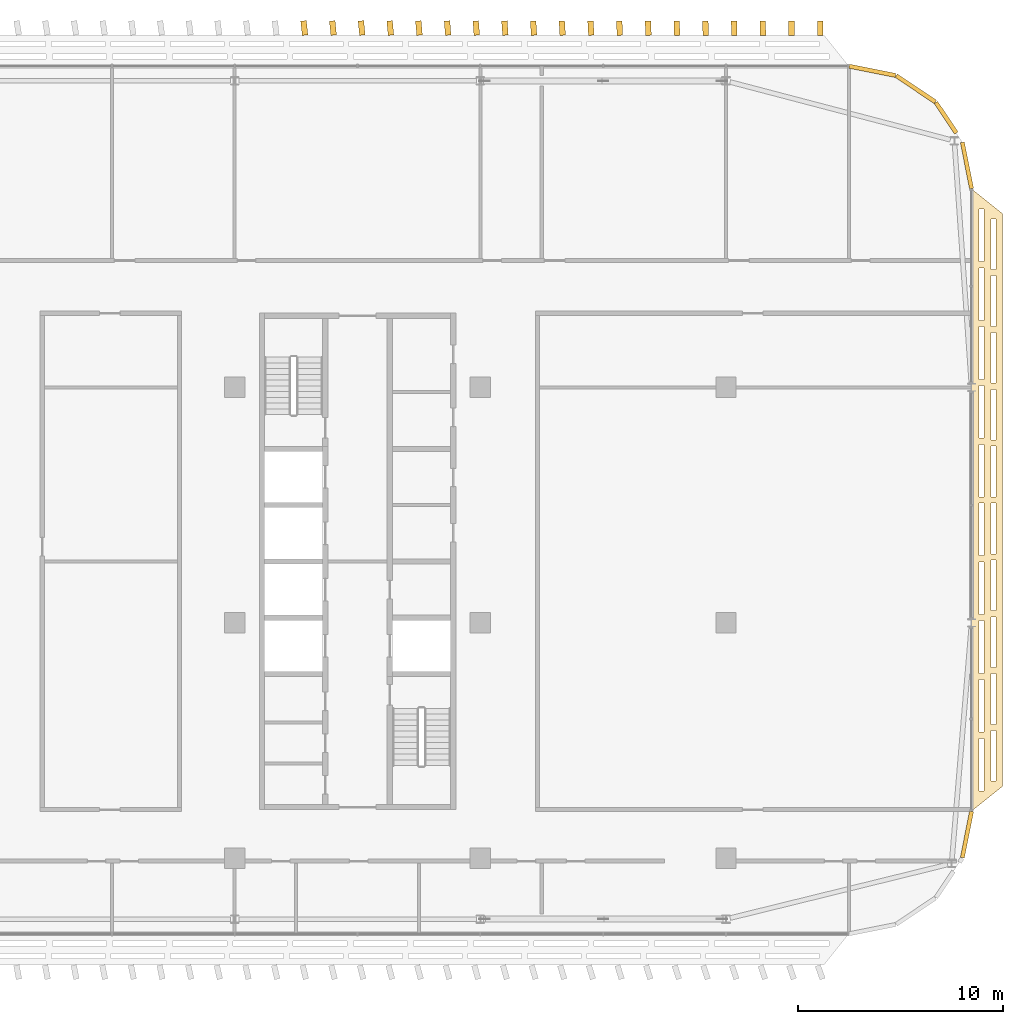
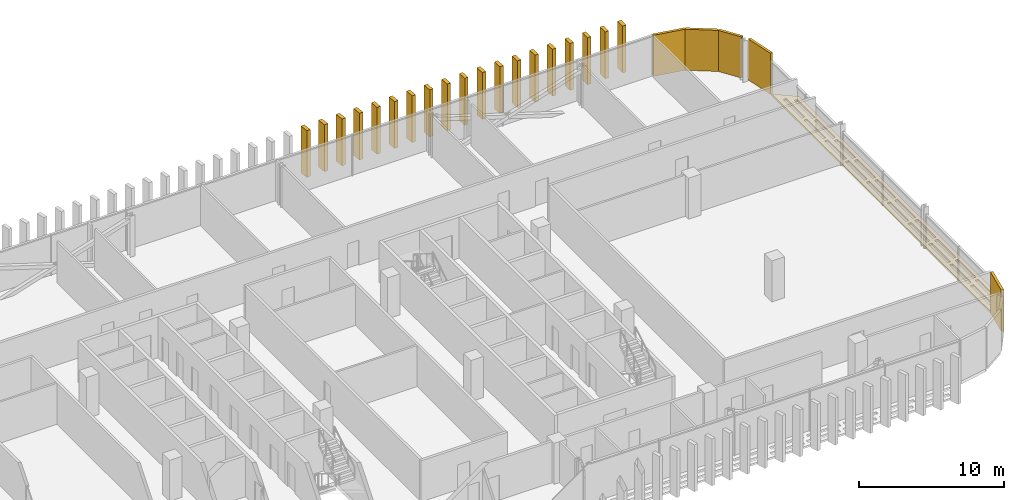
# One storey, part 34 of 34: 25 coverings.
"""IFC4 building model written with IfcOpenShell, lengths in metres."""

from ifc_helpers import new_model, si_unit, direction, frame, origin, origin_2d, place, context, subcontext, project, spatial, polyline, rectangle, outline, extrude, material, layer, layer_set, type_object, element, save


model = new_model("IFC4")

# Units and contexts
model_context = context("Model", 3, precision=1e-05, world=origin(), true_north=direction((0.0, 1.0)))
body_context = subcontext(model_context, "Body", "Model", "MODEL_VIEW")
ifc_project = project(units=[si_unit("LENGTHUNIT", "METRE"), si_unit("AREAUNIT", "SQUARE_METRE"), si_unit("VOLUMEUNIT", "CUBIC_METRE"), si_unit("PLANEANGLEUNIT", "RADIAN"), si_unit("MASSUNIT", "GRAM", prefix="KILO")], contexts=[model_context])

# Site, building, storey
site_placement = place(None, origin())
site = spatial("IfcSite", under=ifc_project, at=site_placement, CompositionType="ELEMENT")
building_placement = place(site_placement, origin())
building = spatial("IfcBuilding", under=site, at=building_placement, Name="Mahtab Terrace Research Tower", CompositionType="ELEMENT")
storey_placement = place(building_placement, frame((0.0, 0.0, 247.60009765625)))
storey = spatial("IfcBuildingStorey", under=building, at=storey_placement, Name="L60", CompositionType="ELEMENT", Elevation=247.60009765625)

# Coverings
ifc_material_1 = material(Name="Black aluminium cladding panel", Category="aluminium")
ifc_layer_1 = layer(ifc_material_1, 0.199951171875)
ifc_layer_set_1 = layer_set([ifc_layer_1], Name="Black metal corner cladding 200")
covering_type_1 = type_object("IfcCoveringType", Name="Black metal corner cladding 200", PredefinedType="CLADDING", material=ifc_layer_set_1)
covering_1_placement = place(storey_placement, frame((52.75146484375, 24.67626953125, 0.0), z_axis=(0.0, 0.0, 1.0), x_axis=(-0.555291490808, 0.831655794326, 0.0)))
element("IfcCovering", 1, at=covering_1_placement, inside=storey, type_object=covering_type_1, Name="Corner cladding L60 0", PredefinedType="CLADDING", context=body_context, shape_type="SweptSolid", body=[
    extrude(rectangle(XDim=1.791748046875, YDim=0.199951171875, at=origin_2d()), origin(), (0.0, 0.0, 1.0), 3.4599609375),
])
for number, where, z_axis, x_axis, name in (
    (2, (51.26953125, 26.087890625, 0.0), (0.0, 0.0, 1.0), (-0.831655794326, 0.555291490808, 0.0), "Corner cladding L60 1"),
    (3, (49.14794921875, 26.966552734375, 0.0), (0.0, 0.0, 1.0), (-0.980760981187, 0.195212442692, 0.0), "Corner cladding L60 2"),
    (4, (53.771484375, -10.343017578125, 0.0), (0.0, 0.0, 1.0), (0.195212442692, 0.980760981187, 0.0), "Corner cladding L60 20"),
    (5, (53.771484375, 22.343017578125, 0.0), (0.0, 0.0, 1.0), (-0.195212442692, 0.980760981187, 0.0), "Corner cladding L60 24"),
):
    element("IfcCovering", number, at=place(storey_placement, frame(where, z_axis=z_axis, x_axis=x_axis)), inside=storey, type_object=covering_type_1, Name=name, PredefinedType="CLADDING", context=body_context, shape_type="SweptSolid", body=[
        extrude(rectangle(XDim=2.30126953125, YDim=0.199951171875, at=origin_2d()), origin(), (0.0, 0.0, 1.0), 3.4599609375),
    ])
ifc_material_2 = material(Name="Black anodised aluminium", Category="aluminium")
ifc_layer_2 = layer(ifc_material_2, 0.14990234375)
ifc_layer_set_2 = layer_set([ifc_layer_2], Name="Horizontal sunshade band")
covering_type_2 = type_object("IfcCoveringType", Name="Horizontal sunshade band", PredefinedType="CLADDING", material=ifc_layer_set_2)
covering_2_placement = place(storey_placement, frame((0.0, 0.0, -0.150146484375)))
element("IfcCovering", 6, at=covering_2_placement, inside=storey, type_object=covering_type_2, Name="Sunshade band L60 21", PredefinedType="CLADDING", context=body_context, shape_type="SweptSolid", body=[
    extrude(outline(polyline([(54.0, -9.195068359375), (54.0, 21.195068359375), (55.5, 19.9951171875), (55.5, -7.9951171875), (54.0, -9.195068359375)]), holes=[polyline([(54.35009765625, -8.215087890625), (54.35009765625, -5.64208984375), (54.60009765625, -5.64208984375), (54.60009765625, -8.215087890625), (54.35009765625, -8.215087890625)]), polyline([(54.35009765625, -5.342041015625), (54.35009765625, -2.76904296875), (54.60009765625, -2.76904296875), (54.60009765625, -5.342041015625), (54.35009765625, -5.342041015625)]), polyline([(54.35009765625, -2.468994140625), (54.35009765625, 0.10400390625), (54.60009765625, 0.10400390625), (54.60009765625, -2.468994140625), (54.35009765625, -2.468994140625)]), polyline([(54.35009765625, 0.404052734375), (54.35009765625, 2.97705078125), (54.60009765625, 2.97705078125), (54.60009765625, 0.404052734375), (54.35009765625, 0.404052734375)]), polyline([(54.35009765625, 3.277099609375), (54.35009765625, 5.85009765625), (54.60009765625, 5.85009765625), (54.60009765625, 3.277099609375), (54.35009765625, 3.277099609375)]), polyline([(54.35009765625, 6.14990234375), (54.35009765625, 8.722900390625), (54.60009765625, 8.722900390625), (54.60009765625, 6.14990234375), (54.35009765625, 6.14990234375)]), polyline([(54.35009765625, 9.02294921875), (54.35009765625, 11.595947265625), (54.60009765625, 11.595947265625), (54.60009765625, 9.02294921875), (54.35009765625, 9.02294921875)]), polyline([(54.35009765625, 11.89599609375), (54.35009765625, 14.468994140625), (54.60009765625, 14.468994140625), (54.60009765625, 11.89599609375), (54.35009765625, 11.89599609375)]), polyline([(54.35009765625, 14.76904296875), (54.35009765625, 17.342041015625), (54.60009765625, 17.342041015625), (54.60009765625, 14.76904296875), (54.35009765625, 14.76904296875)]), polyline([(54.35009765625, 17.64208984375), (54.35009765625, 20.215087890625), (54.60009765625, 20.215087890625), (54.60009765625, 17.64208984375), (54.35009765625, 17.64208984375)]), polyline([(54.949951171875, -7.735107421875), (54.949951171875, -5.258056640625), (55.199951171875, -5.258056640625), (55.199951171875, -7.735107421875), (54.949951171875, -7.735107421875)]), polyline([(54.949951171875, -4.9580078125), (54.949951171875, -2.48095703125), (55.199951171875, -2.48095703125), (55.199951171875, -4.9580078125), (54.949951171875, -4.9580078125)]), polyline([(54.949951171875, -2.180908203125), (54.949951171875, 0.2958984375), (55.199951171875, 0.2958984375), (55.199951171875, -2.180908203125), (54.949951171875, -2.180908203125)]), polyline([(54.949951171875, 0.595947265625), (54.949951171875, 3.072998046875), (55.199951171875, 3.072998046875), (55.199951171875, 0.595947265625), (54.949951171875, 0.595947265625)]), polyline([(54.949951171875, 3.373046875), (54.949951171875, 5.85009765625), (55.199951171875, 5.85009765625), (55.199951171875, 3.373046875), (54.949951171875, 3.373046875)]), polyline([(54.949951171875, 6.14990234375), (54.949951171875, 8.626953125), (55.199951171875, 8.626953125), (55.199951171875, 6.14990234375), (54.949951171875, 6.14990234375)]), polyline([(54.949951171875, 8.927001953125), (54.949951171875, 11.404052734375), (55.199951171875, 11.404052734375), (55.199951171875, 8.927001953125), (54.949951171875, 8.927001953125)]), polyline([(54.949951171875, 11.7041015625), (54.949951171875, 14.180908203125), (55.199951171875, 14.180908203125), (55.199951171875, 11.7041015625), (54.949951171875, 11.7041015625)]), polyline([(54.949951171875, 14.48095703125), (54.949951171875, 16.9580078125), (55.199951171875, 16.9580078125), (55.199951171875, 14.48095703125), (54.949951171875, 14.48095703125)]), polyline([(54.949951171875, 17.258056640625), (54.949951171875, 19.735107421875), (55.199951171875, 19.735107421875), (55.199951171875, 17.258056640625), (54.949951171875, 17.258056640625)])]), origin(), (0.0, 0.0, 1.0), 0.150146484375),
])
ifc_material_3 = material(Name="Bronze anodised aluminium", Category="aluminium")
ifc_layer_3 = layer(ifc_material_3, 0.1201171875)
ifc_layer_set_3 = layer_set([ifc_layer_3], Name="Vertical fin 700")
covering_type_3 = type_object("IfcCoveringType", Name="Vertical fin 700", PredefinedType="CLADDING", material=ifc_layer_set_3)
for number, where, z_axis, x_axis, name in (
    (7, (46.60009765625, 29.0458984375, -0.14990234375), (0.0, 0.0, 1.0), (-0.999983076858, -0.005817731349, 0.0), "Fin L60 N1"),
    (8, (45.199951171875, 29.046630859375, -0.14990234375), (0.0, 0.0, 1.0), (-0.999932308004, -0.011635265807, 0.0), "Fin L60 N2"),
    (9, (43.800048828125, 29.04736328125, -0.14990234375), (0.0, 0.0, 1.0), (-0.999847695156, -0.017452406437, 0.0), "Fin L60 N3"),
    (10, (42.39990234375, 29.048095703125, -0.14990234375), (0.0, 0.0, 1.0), (-0.99972924118, -0.023268956368, 0.0), "Fin L60 N4"),
    (11, (41.0, 29.048828125, -0.14990234375), (0.0, 0.0, 1.0), (-0.999576950082, -0.029084718749, 0.0), "Fin L60 N5"),
    (12, (39.60009765625, 29.049560546875, -0.14990234375), (0.0, 0.0, 1.0), (-0.999390827019, -0.034899496703, 0.0), "Fin L60 N6"),
    (13, (38.199951171875, 29.05029296875, -0.14990234375), (0.0, 0.0, 1.0), (-0.99917087829, -0.040713093438, 0.0), "Fin L60 N7"),
    (14, (36.800048828125, 29.051025390625, -0.14990234375), (0.0, 0.0, 1.0), (-0.998917111338, -0.046525312204, 0.0), "Fin L60 N8"),
    (15, (35.39990234375, 29.0517578125, -0.14990234375), (0.0, 0.0, 1.0), (-0.998629534755, -0.052335956243, 0.0), "Fin L60 N9"),
    (16, (34.0, 29.052490234375, -0.14990234375), (0.0, 0.0, 1.0), (-0.998308158272, -0.058144828905, 0.0), "Fin L60 N10"),
    (17, (32.60009765625, 29.05322265625, -0.14990234375), (0.0, 0.0, 1.0), (-0.997952992766, -0.063951733597, 0.0), "Fin L60 N11"),
    (18, (31.199951171875, 29.053955078125, -0.14990234375), (0.0, 0.0, 1.0), (-0.99756405026, -0.069756473744, 0.0), "Fin L60 N12"),
    (19, (29.800048828125, 29.0546875, -0.14990234375), (0.0, 0.0, 1.0), (-0.997141343917, -0.075558852893, 0.0), "Fin L60 N13"),
    (20, (28.39990234375, 29.05517578125, -0.14990234375), (0.0, 0.0, 1.0), (-0.996684888044, -0.081358674674, 0.0), "Fin L60 N14"),
    (21, (27.0, 29.055908203125, -0.14990234375), (0.0, 0.0, 1.0), (-0.996194698092, -0.087155742748, 0.0), "Fin L60 N15"),
    (22, (25.60009765625, 29.056396484375, -0.14990234375), (0.0, 0.0, 1.0), (-0.99567079065, -0.092949860924, 0.0), "Fin L60 N16"),
    (23, (24.199951171875, 29.05712890625, -0.14990234375), (0.0, 0.0, 1.0), (-0.99511318345, -0.098740833109, 0.0), "Fin L60 N17"),
    (24, (22.800048828125, 29.0576171875, -0.14990234375), (0.0, 0.0, 1.0), (-0.994521895368, -0.104528463268, 0.0), "Fin L60 N18"),
    (25, (21.39990234375, 29.058349609375, -0.14990234375), (0.0, 0.0, 1.0), (-0.993896946415, -0.110312555526, 0.0), "Fin L60 N19"),
):
    element("IfcCovering", number, at=place(storey_placement, frame(where, z_axis=z_axis, x_axis=x_axis)), inside=storey, type_object=covering_type_3, Name=name, PredefinedType="CLADDING", context=body_context, shape_type="SweptSolid", body=[
        extrude(rectangle(XDim=0.280029296875, YDim=0.699951171875, at=origin_2d()), origin(), (0.0, 0.0, 1.0), 3.949951171875),
    ])

save(model, "model.ifc")
